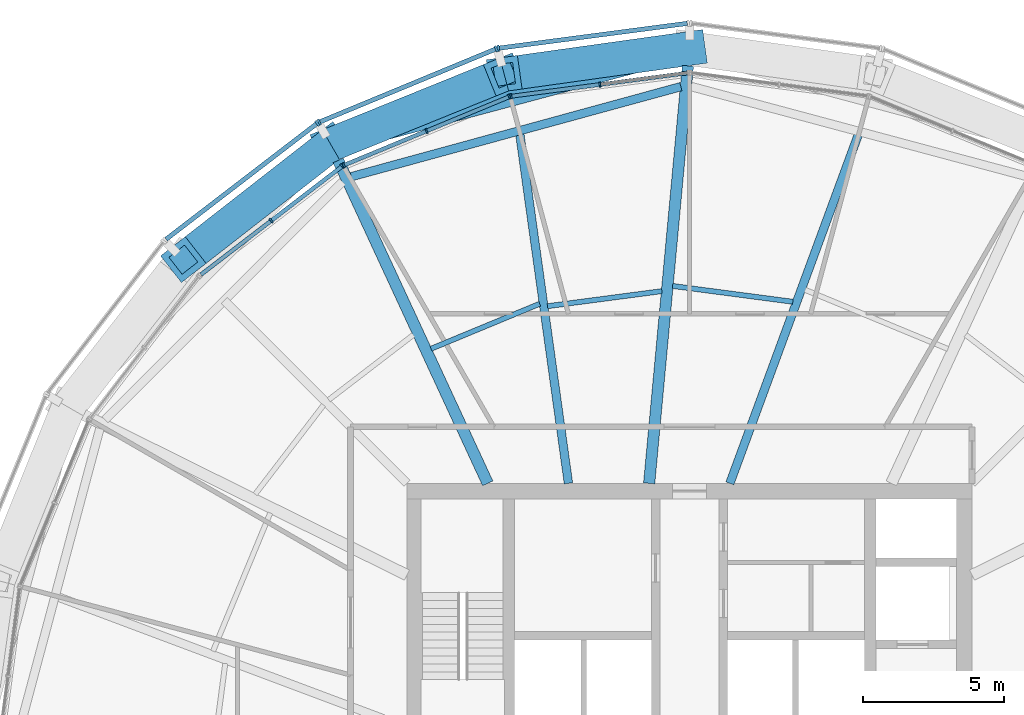
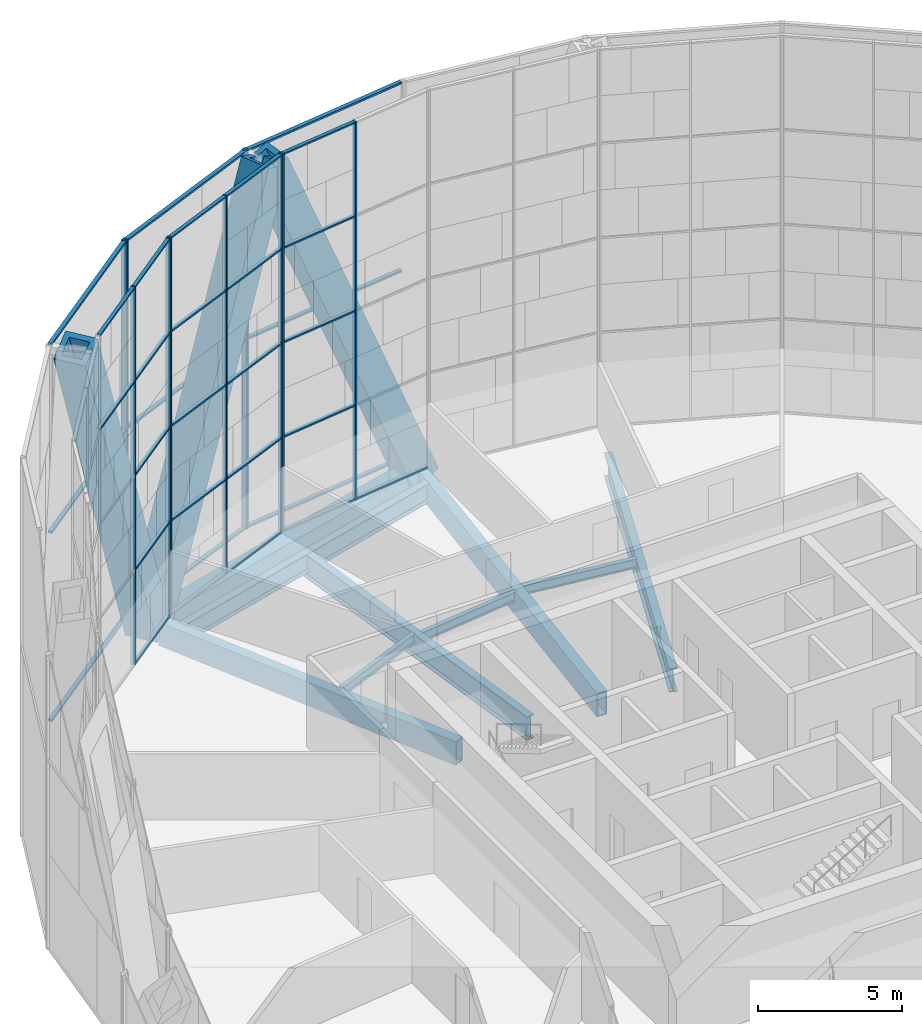
# One storey, part 9 of 29: 46 members, 9 beams, 6 elements without a shape of their own.
"""IFC4 building model written with IfcOpenShell, lengths in metres."""

from ifc_helpers import new_model, si_unit, direction, frame, origin, origin_2d, place, context, subcontext, project, spatial, rectangle, hollow_rectangle, i_section, extrude, material, material_profile, profile_set, type_object, element, aggregate, save


model = new_model("IFC4")

# Units and contexts
model_context = context("Model", 3, precision=1e-05, world=origin(), true_north=direction((0.0, 1.0)))
body_context = subcontext(model_context, "Body", "Model", "MODEL_VIEW")
ifc_project = project(units=[si_unit("LENGTHUNIT", "METRE"), si_unit("AREAUNIT", "SQUARE_METRE"), si_unit("VOLUMEUNIT", "CUBIC_METRE"), si_unit("PLANEANGLEUNIT", "RADIAN"), si_unit("MASSUNIT", "GRAM", prefix="KILO")], contexts=[model_context])

# Site, building, storey
site_placement = place(None, origin())
site = spatial("IfcSite", under=ifc_project, at=site_placement, CompositionType="ELEMENT")
building_placement = place(site_placement, origin())
building = spatial("IfcBuilding", under=site, at=building_placement, Name="Golbaran Civic Tower", CompositionType="ELEMENT")
storey_placement = place(building_placement, frame((0.0, 0.0, 118.0)))
storey = spatial("IfcBuildingStorey", under=building, at=storey_placement, Name="L28", CompositionType="ELEMENT", Elevation=118.0)

# Members
ifc_material_1 = material(Name="Steel S355", Category="steel")
ifc_material_profile_1 = material_profile(ifc_material_1, hollow_rectangle(XDim=1.199951171875, YDim=1.199951171875, WallThickness=0.219970703125, at=origin_2d()), Name="BOX 1200x1200x220")
ifc_profile_set_1 = profile_set([ifc_material_profile_1], Name="Steel S355")
member_type_1 = type_object("IfcMemberType", Name="DIAGRID DIAGONAL BOX 1200x1200x220", PredefinedType="BRACE", material=ifc_profile_set_1)
member_1_placement = place(storey_placement, frame((0.0, 25.39306640625, -0.7099609375), z_axis=(-0.378752046555, -0.052927158382, 0.923983551334), x_axis=(0.138396182918, -0.990376946699, 0.0)))
element("IfcMember", 1, at=member_1_placement, inside=storey, type_object=member_type_1, Name="Diagonal D06-03R L28-L32", PredefinedType="BRACE", context=body_context, shape_type="SweptSolid", body=[
    extrude(hollow_rectangle(XDim=1.199951171875, YDim=1.199951171875, WallThickness=0.219970703125, at=origin_2d()), origin(), (0.0, 0.0, 1.0), 17.31640625),
])
for number, where, z_axis, x_axis, name in (
    (2, (-12.696533203125, 21.990966796875, -0.7099609375), (-0.301533756345, -0.235212402726, 0.923987293954), (0.615057929153, -0.788481923563, 0.0), "Diagonal D06-04R L28-L32"),
    (3, (-12.696533203125, 21.990966796875, -0.7099609375), (0.3544612565, 0.143541229562, 0.92398762603), (-0.375347369478, 0.926884217271, 0.0), "Diagonal D06-04L L28-L32"),
):
    element("IfcMember", number, at=place(storey_placement, frame(where, z_axis=z_axis, x_axis=x_axis)), inside=storey, type_object=member_type_1, Name=name, PredefinedType="BRACE", context=body_context, shape_type="SweptSolid", body=[
        extrude(hollow_rectangle(XDim=1.199951171875, YDim=1.199951171875, WallThickness=0.219970703125, at=origin_2d()), origin(), (0.0, 0.0, 1.0), 17.316162109375),
    ])

# Beams
ifc_material_profile_2 = material_profile(ifc_material_1, hollow_rectangle(XDim=0.699951171875, YDim=0.699951171875, WallThickness=0.080078125, at=origin_2d()), Name="BOX 700x700x80")
ifc_profile_set_2 = profile_set([ifc_material_profile_2], Name="Steel S355")
beam_type_1 = type_object("IfcBeamType", Name="DIAGRID RING TIE BOX 700x700x80", PredefinedType="BEAM", material=ifc_profile_set_2)
beam_1_placement = place(storey_placement, frame((0.0, 25.39306640625, -0.7099609375), z_axis=(-0.965924422812, -0.258824282894, 0.0), x_axis=(0.258824282894, -0.965924422812, 0.0)))
element("IfcBeam", 4, at=beam_1_placement, inside=storey, type_object=beam_type_1, Name="Ring tie 90.00 L28", PredefinedType="BEAM", context=body_context, shape_type="SweptSolid", body=[
    extrude(hollow_rectangle(XDim=0.699951171875, YDim=0.699951171875, WallThickness=0.080078125, at=origin_2d()), origin(), (0.0, 0.0, 1.0), 13.14453125),
])
ifc_material_profile_3 = material_profile(ifc_material_1, i_section(OverallWidth=0.300048828125, OverallDepth=0.800048828125, WebThickness=0.017578125, FlangeThickness=0.032958984375, FilletRadius=0.030029296875, at=origin_2d()), Name="HEB 800")
ifc_profile_set_3 = profile_set([ifc_material_profile_3], Name="Steel S355")
beam_type_2 = type_object("IfcBeamType", Name="EDGE BEAM HEB 800", PredefinedType="BEAM", material=ifc_profile_set_3)
beam_2_placement = place(storey_placement, frame((-0.30615234375, 24.043212890625, -0.60009765625), z_axis=(-0.964635594416, -0.263587120297, 0.0), x_axis=(0.263587120297, -0.964635594416, 0.0)))
element("IfcBeam", 5, at=beam_2_placement, inside=storey, type_object=beam_type_2, Name="Edge beam 90.00 L28", PredefinedType="BEAM", context=body_context, shape_type="SweptSolid", body=[
    extrude(i_section(OverallWidth=0.300048828125, OverallDepth=0.800048828125, WebThickness=0.017578125, FlangeThickness=0.032958984375, FilletRadius=0.030029296875, at=origin_2d()), origin(), (0.0, 0.0, 1.0), 12.09375),
])
ifc_material_profile_4 = material_profile(ifc_material_1, i_section(OverallWidth=0.179931640625, OverallDepth=0.39990234375, WebThickness=0.008544921875, FlangeThickness=0.013427734375, FilletRadius=0.02099609375, at=origin_2d()), Name="IPE 400")
ifc_profile_set_4 = profile_set([ifc_material_profile_4], Name="Steel S355")
beam_type_3 = type_object("IfcBeamType", Name="FLOOR INFILL BEAM IPE 400", PredefinedType="BEAM", material=ifc_profile_set_4)
beam_3_placement = place(storey_placement, frame((3.657958984375, 16.427490234375, -0.39990234375), z_axis=(-0.991450424736, 0.130483927329, 0.0), x_axis=(-0.130483927329, -0.991450424736, 0.0)))
element("IfcBeam", 6, at=beam_3_placement, inside=storey, type_object=beam_type_3, Name="Infill beam 82.50 L28", PredefinedType="BEAM", context=body_context, shape_type="SweptSolid", body=[
    extrude(i_section(OverallWidth=0.179931640625, OverallDepth=0.39990234375, WebThickness=0.008544921875, FlangeThickness=0.013427734375, FilletRadius=0.02099609375, at=origin_2d()), origin(), (0.0, 0.0, 1.0), 4.2939453125),
])
beam_4_placement = place(storey_placement, frame((-0.977783203125, 16.80419921875, -0.39990234375), z_axis=(-0.991444732077, -0.130527174324, 0.0), x_axis=(0.130527174324, -0.991444732077, 0.0)))
element("IfcBeam", 7, at=beam_4_placement, inside=storey, type_object=beam_type_3, Name="Infill beam 97.50 L28", PredefinedType="BEAM", context=body_context, shape_type="SweptSolid", body=[
    extrude(i_section(OverallWidth=0.179931640625, OverallDepth=0.39990234375, WebThickness=0.008544921875, FlangeThickness=0.013427734375, FilletRadius=0.02099609375, at=origin_2d()), origin(), (0.0, 0.0, 1.0), 4.0849609375),
])
beam_5_placement = place(storey_placement, frame((-5.30224609375, 16.357666015625, -0.39990234375), z_axis=(-0.923893261584, -0.38265028577, 0.0), x_axis=(0.38265028577, -0.923893261584, 0.0)))
element("IfcBeam", 8, at=beam_5_placement, inside=storey, type_object=beam_type_3, Name="Infill beam 112.50 L28", PredefinedType="BEAM", context=body_context, shape_type="SweptSolid", body=[
    extrude(i_section(OverallWidth=0.179931640625, OverallDepth=0.39990234375, WebThickness=0.008544921875, FlangeThickness=0.013427734375, FilletRadius=0.02099609375, at=origin_2d()), origin(), (0.0, 0.0, 1.0), 4.165771484375),
])

# Curtain wall, members
ifc_material_2 = material(Name="Aluminium and glass", Category="aluminium")
curtain_wall_type_1 = type_object("IfcCurtainWallType", Name="INNER SKIN CURTAIN WALL", PredefinedType="NOTDEFINED", material=ifc_material_2)
curtain_wall_1_placement = place(storey_placement, origin())
curtain_wall_1 = element("IfcCurtainWall", 9, at=curtain_wall_1_placement, inside=storey, type_object=curtain_wall_type_1, Name="Inner skin L28 facet 7 CW1", ObjectType="INNER SKIN", PredefinedType="USERDEFINED")
ifc_material_3 = material(Name="Aluminium", Category="aluminium")
ifc_material_profile_5 = material_profile(ifc_material_3, rectangle(XDim=0.179931640625, YDim=0.06494140625, at=origin_2d()), Name="INNER SKIN CURTAIN WALL MULLION")
ifc_profile_set_5 = profile_set([ifc_material_profile_5], Name="Aluminium")
member_type_2 = type_object("IfcMemberType", Name="INNER SKIN CURTAIN WALL MULLION", PredefinedType="MULLION", material=ifc_profile_set_5)
member_2_placement = place(storey_placement, frame((-3.175048828125, 24.115966796875, 0.0), z_axis=(0.0, 0.0, 1.0), x_axis=(0.130526192237, -0.991444861372, 0.0)))
member_2 = element("IfcMember", 10, at=member_2_placement, type_object=member_type_2, Name="CW1 mullion 2", PredefinedType="MULLION", context=body_context, shape_type="SweptSolid", body=[
    extrude(rectangle(XDim=0.179931640625, YDim=0.06494140625, at=origin_2d()), origin(), (0.0, 0.0, 1.0), 16.0),
])
member_3_placement = place(storey_placement, frame((-6.317626953125, 23.7021484375, 0.0), z_axis=(0.0, 0.0, 1.0), x_axis=(0.130526192237, -0.991444861372, 0.0)))
member_3 = element("IfcMember", 11, at=member_3_placement, type_object=member_type_2, Name="CW1 mullion 3", PredefinedType="MULLION", context=body_context, shape_type="SweptSolid", body=[
    extrude(rectangle(XDim=0.179931640625, YDim=0.06494140625, at=origin_2d()), origin(), (0.0, 0.0, 1.0), 16.0),
])

curtain_wall_2_placement = place(storey_placement, origin())
curtain_wall_2 = element("IfcCurtainWall", 12, at=curtain_wall_2_placement, inside=storey, type_object=curtain_wall_type_1, Name="Inner skin L28 facet 8 CW1", ObjectType="INNER SKIN", PredefinedType="USERDEFINED")
member_4_placement = place(storey_placement, frame((-6.3798828125, 23.685546875, 0.0), z_axis=(0.0, 0.0, 1.0), x_axis=(0.38268343243, -0.923879532485, 0.0)))
member_4 = element("IfcMember", 13, at=member_4_placement, type_object=member_type_2, Name="CW1 mullion 1", PredefinedType="MULLION", context=body_context, shape_type="SweptSolid", body=[
    extrude(rectangle(XDim=0.179931640625, YDim=0.06494140625, at=origin_2d()), origin(), (0.0, 0.0, 1.0), 16.0),
])
member_5_placement = place(storey_placement, frame((-9.308349609375, 22.47265625, 0.0), z_axis=(0.0, 0.0, 1.0), x_axis=(0.38268343243, -0.923879532485, 0.0)))
member_5 = element("IfcMember", 14, at=member_5_placement, type_object=member_type_2, Name="CW1 mullion 2", PredefinedType="MULLION", context=body_context, shape_type="SweptSolid", body=[
    extrude(rectangle(XDim=0.179931640625, YDim=0.06494140625, at=origin_2d()), origin(), (0.0, 0.0, 1.0), 16.0),
])
member_6_placement = place(storey_placement, frame((-12.237060546875, 21.259521484375, 0.0), z_axis=(0.0, 0.0, 1.0), x_axis=(0.38268343243, -0.923879532485, 0.0)))
member_6 = element("IfcMember", 15, at=member_6_placement, type_object=member_type_2, Name="CW1 mullion 3", PredefinedType="MULLION", context=body_context, shape_type="SweptSolid", body=[
    extrude(rectangle(XDim=0.179931640625, YDim=0.06494140625, at=origin_2d()), origin(), (0.0, 0.0, 1.0), 16.0),
])

curtain_wall_3_placement = place(storey_placement, origin())
curtain_wall_3 = element("IfcCurtainWall", 16, at=curtain_wall_3_placement, inside=storey, type_object=curtain_wall_type_1, Name="Inner skin L28 facet 9 CW1", ObjectType="INNER SKIN", PredefinedType="USERDEFINED")
member_7_placement = place(storey_placement, frame((-12.292724609375, 21.227294921875, 0.0), z_axis=(0.0, 0.0, 1.0), x_axis=(0.608761428898, -0.793353340376, 0.0)))
member_7 = element("IfcMember", 17, at=member_7_placement, type_object=member_type_2, Name="CW1 mullion 1", PredefinedType="MULLION", context=body_context, shape_type="SweptSolid", body=[
    extrude(rectangle(XDim=0.179931640625, YDim=0.06494140625, at=origin_2d()), origin(), (0.0, 0.0, 1.0), 16.0),
])
member_8_placement = place(storey_placement, frame((-14.8076171875, 19.297607421875, 0.0), z_axis=(0.0, 0.0, 1.0), x_axis=(0.608761428898, -0.793353340376, 0.0)))
member_8 = element("IfcMember", 18, at=member_8_placement, type_object=member_type_2, Name="CW1 mullion 2", PredefinedType="MULLION", context=body_context, shape_type="SweptSolid", body=[
    extrude(rectangle(XDim=0.179931640625, YDim=0.06494140625, at=origin_2d()), origin(), (0.0, 0.0, 1.0), 16.0),
])

# Member
ifc_material_profile_6 = material_profile(ifc_material_3, rectangle(XDim=0.139892578125, YDim=0.06494140625, at=origin_2d()), Name="INNER SKIN CURTAIN WALL TRANSOM")
ifc_profile_set_6 = profile_set([ifc_material_profile_6], Name="Aluminium")
member_type_3 = type_object("IfcMemberType", Name="INNER SKIN CURTAIN WALL TRANSOM", PredefinedType="USERDEFINED", material=ifc_profile_set_6)
member_9_placement = place(storey_placement, frame((-0.064453125, 24.525634765625, 0.032470703125), z_axis=(-0.991444925907, -0.130525702039, 0.0), x_axis=(0.130525702039, -0.991444925907, 0.0)))
member_9 = element("IfcMember", 19, at=member_9_placement, type_object=member_type_3, Name="CW1 transom 1.1", ObjectType="TRANSOM", PredefinedType="USERDEFINED", context=body_context, shape_type="SweptSolid", body=[
    extrude(rectangle(XDim=0.139892578125, YDim=0.06494140625, at=origin_2d()), origin(), (0.0, 0.0, 1.0), 3.10498046875),
])

member_10_placement = place(storey_placement, frame((-3.207275390625, 24.11181640625, 0.032470703125), z_axis=(-0.991443586136, -0.130535878251, 0.0), x_axis=(0.130535878251, -0.991443586136, 0.0)))
member_10 = element("IfcMember", 20, at=member_10_placement, type_object=member_type_3, Name="CW1 transom 2.1", ObjectType="TRANSOM", PredefinedType="USERDEFINED", context=body_context, shape_type="SweptSolid", body=[
    extrude(rectangle(XDim=0.139892578125, YDim=0.06494140625, at=origin_2d()), origin(), (0.0, 0.0, 1.0), 3.104736328125),
])

member_11_placement = place(storey_placement, frame((-3.207275390625, 24.11181640625, 4.0), z_axis=(-0.991443586136, -0.130535878251, 0.0), x_axis=(0.130535878251, -0.991443586136, 0.0)))
member_11 = element("IfcMember", 21, at=member_11_placement, type_object=member_type_3, Name="CW1 transom 2.2", ObjectType="TRANSOM", PredefinedType="USERDEFINED", context=body_context, shape_type="SweptSolid", body=[
    extrude(rectangle(XDim=0.139892578125, YDim=0.06494140625, at=origin_2d()), origin(), (0.0, 0.0, 1.0), 3.104736328125),
])

member_12_placement = place(storey_placement, frame((-3.207275390625, 24.11181640625, 8.0), z_axis=(-0.991443586136, -0.130535878251, 0.0), x_axis=(0.130535878251, -0.991443586136, 0.0)))
member_12 = element("IfcMember", 22, at=member_12_placement, type_object=member_type_3, Name="CW1 transom 2.3", ObjectType="TRANSOM", PredefinedType="USERDEFINED", context=body_context, shape_type="SweptSolid", body=[
    extrude(rectangle(XDim=0.139892578125, YDim=0.06494140625, at=origin_2d()), origin(), (0.0, 0.0, 1.0), 3.104736328125),
])

member_13_placement = place(storey_placement, frame((-3.207275390625, 24.11181640625, 12.0), z_axis=(-0.991443586136, -0.130535878251, 0.0), x_axis=(0.130535878251, -0.991443586136, 0.0)))
member_13 = element("IfcMember", 23, at=member_13_placement, type_object=member_type_3, Name="CW1 transom 2.4", ObjectType="TRANSOM", PredefinedType="USERDEFINED", context=body_context, shape_type="SweptSolid", body=[
    extrude(rectangle(XDim=0.139892578125, YDim=0.06494140625, at=origin_2d()), origin(), (0.0, 0.0, 1.0), 3.104736328125),
])

member_14_placement = place(storey_placement, frame((-3.207275390625, 24.11181640625, 15.967529296875), z_axis=(-0.991443586136, -0.130535878251, 0.0), x_axis=(0.130535878251, -0.991443586136, 0.0)))
member_14 = element("IfcMember", 24, at=member_14_placement, type_object=member_type_3, Name="CW1 transom 2.5", ObjectType="TRANSOM", PredefinedType="USERDEFINED", context=body_context, shape_type="SweptSolid", body=[
    extrude(rectangle(XDim=0.139892578125, YDim=0.06494140625, at=origin_2d()), origin(), (0.0, 0.0, 1.0), 3.104736328125),
])

aggregate(curtain_wall_1, [member_2, member_3, member_9, member_10, member_11, member_12, member_13, member_14])

member_15_placement = place(storey_placement, frame((-6.409912109375, 23.673095703125, 0.032470703125), z_axis=(-0.923868276622, -0.382710605355, 0.0), x_axis=(0.382710605355, -0.923868276622, 0.0)))
member_15 = element("IfcMember", 25, at=member_15_placement, type_object=member_type_3, Name="CW1 transom 1.1", ObjectType="TRANSOM", PredefinedType="USERDEFINED", context=body_context, shape_type="SweptSolid", body=[
    extrude(rectangle(XDim=0.139892578125, YDim=0.06494140625, at=origin_2d()), origin(), (0.0, 0.0, 1.0), 3.104736328125),
])

member_16_placement = place(storey_placement, frame((-6.409912109375, 23.673095703125, 4.0), z_axis=(-0.923868276622, -0.382710605355, 0.0), x_axis=(0.382710605355, -0.923868276622, 0.0)))
member_16 = element("IfcMember", 26, at=member_16_placement, type_object=member_type_3, Name="CW1 transom 1.2", ObjectType="TRANSOM", PredefinedType="USERDEFINED", context=body_context, shape_type="SweptSolid", body=[
    extrude(rectangle(XDim=0.139892578125, YDim=0.06494140625, at=origin_2d()), origin(), (0.0, 0.0, 1.0), 3.104736328125),
])

member_17_placement = place(storey_placement, frame((-6.409912109375, 23.673095703125, 8.0), z_axis=(-0.923868276622, -0.382710605355, 0.0), x_axis=(0.382710605355, -0.923868276622, 0.0)))
member_17 = element("IfcMember", 27, at=member_17_placement, type_object=member_type_3, Name="CW1 transom 1.3", ObjectType="TRANSOM", PredefinedType="USERDEFINED", context=body_context, shape_type="SweptSolid", body=[
    extrude(rectangle(XDim=0.139892578125, YDim=0.06494140625, at=origin_2d()), origin(), (0.0, 0.0, 1.0), 3.104736328125),
])

member_18_placement = place(storey_placement, frame((-6.409912109375, 23.673095703125, 12.0), z_axis=(-0.923868276622, -0.382710605355, 0.0), x_axis=(0.382710605355, -0.923868276622, 0.0)))
member_18 = element("IfcMember", 28, at=member_18_placement, type_object=member_type_3, Name="CW1 transom 1.4", ObjectType="TRANSOM", PredefinedType="USERDEFINED", context=body_context, shape_type="SweptSolid", body=[
    extrude(rectangle(XDim=0.139892578125, YDim=0.06494140625, at=origin_2d()), origin(), (0.0, 0.0, 1.0), 3.104736328125),
])

member_19_placement = place(storey_placement, frame((-6.409912109375, 23.673095703125, 15.967529296875), z_axis=(-0.923868276622, -0.382710605355, 0.0), x_axis=(0.382710605355, -0.923868276622, 0.0)))
member_19 = element("IfcMember", 29, at=member_19_placement, type_object=member_type_3, Name="CW1 transom 1.5", ObjectType="TRANSOM", PredefinedType="USERDEFINED", context=body_context, shape_type="SweptSolid", body=[
    extrude(rectangle(XDim=0.139892578125, YDim=0.06494140625, at=origin_2d()), origin(), (0.0, 0.0, 1.0), 3.104736328125),
])

member_20_placement = place(storey_placement, frame((-9.33837890625, 22.460205078125, 0.032470703125), z_axis=(-0.923879792653, -0.382682804327, 0.0), x_axis=(0.382682804327, -0.923879792653, 0.0)))
member_20 = element("IfcMember", 30, at=member_20_placement, type_object=member_type_3, Name="CW1 transom 2.1", ObjectType="TRANSOM", PredefinedType="USERDEFINED", context=body_context, shape_type="SweptSolid", body=[
    extrude(rectangle(XDim=0.139892578125, YDim=0.06494140625, at=origin_2d()), origin(), (0.0, 0.0, 1.0), 3.10498046875),
])

member_21_placement = place(storey_placement, frame((-9.33837890625, 22.460205078125, 4.0), z_axis=(-0.923879792653, -0.382682804327, 0.0), x_axis=(0.382682804327, -0.923879792653, 0.0)))
member_21 = element("IfcMember", 31, at=member_21_placement, type_object=member_type_3, Name="CW1 transom 2.2", ObjectType="TRANSOM", PredefinedType="USERDEFINED", context=body_context, shape_type="SweptSolid", body=[
    extrude(rectangle(XDim=0.139892578125, YDim=0.06494140625, at=origin_2d()), origin(), (0.0, 0.0, 1.0), 3.10498046875),
])

member_22_placement = place(storey_placement, frame((-9.33837890625, 22.460205078125, 8.0), z_axis=(-0.923879792653, -0.382682804327, 0.0), x_axis=(0.382682804327, -0.923879792653, 0.0)))
member_22 = element("IfcMember", 32, at=member_22_placement, type_object=member_type_3, Name="CW1 transom 2.3", ObjectType="TRANSOM", PredefinedType="USERDEFINED", context=body_context, shape_type="SweptSolid", body=[
    extrude(rectangle(XDim=0.139892578125, YDim=0.06494140625, at=origin_2d()), origin(), (0.0, 0.0, 1.0), 3.10498046875),
])

member_23_placement = place(storey_placement, frame((-9.33837890625, 22.460205078125, 12.0), z_axis=(-0.923879792653, -0.382682804327, 0.0), x_axis=(0.382682804327, -0.923879792653, 0.0)))
member_23 = element("IfcMember", 33, at=member_23_placement, type_object=member_type_3, Name="CW1 transom 2.4", ObjectType="TRANSOM", PredefinedType="USERDEFINED", context=body_context, shape_type="SweptSolid", body=[
    extrude(rectangle(XDim=0.139892578125, YDim=0.06494140625, at=origin_2d()), origin(), (0.0, 0.0, 1.0), 3.10498046875),
])

member_24_placement = place(storey_placement, frame((-9.33837890625, 22.460205078125, 15.967529296875), z_axis=(-0.923879792653, -0.382682804327, 0.0), x_axis=(0.382682804327, -0.923879792653, 0.0)))
member_24 = element("IfcMember", 34, at=member_24_placement, type_object=member_type_3, Name="CW1 transom 2.5", ObjectType="TRANSOM", PredefinedType="USERDEFINED", context=body_context, shape_type="SweptSolid", body=[
    extrude(rectangle(XDim=0.139892578125, YDim=0.06494140625, at=origin_2d()), origin(), (0.0, 0.0, 1.0), 3.10498046875),
])

aggregate(curtain_wall_2, [member_4, member_5, member_6, member_15, member_16, member_17, member_18, member_19, member_20, member_21, member_22, member_23, member_24])

member_25_placement = place(storey_placement, frame((-12.318603515625, 21.20751953125, 0.032470703125), z_axis=(-0.793336705277, -0.608783107568, 0.0), x_axis=(0.608783107568, -0.793336705277, 0.0)))
member_25 = element("IfcMember", 35, at=member_25_placement, type_object=member_type_3, Name="CW1 transom 1.1", ObjectType="TRANSOM", PredefinedType="USERDEFINED", context=body_context, shape_type="SweptSolid", body=[
    extrude(rectangle(XDim=0.139892578125, YDim=0.06494140625, at=origin_2d()), origin(), (0.0, 0.0, 1.0), 3.104736328125),
])

member_26_placement = place(storey_placement, frame((-12.318603515625, 21.20751953125, 4.0), z_axis=(-0.793336705277, -0.608783107568, 0.0), x_axis=(0.608783107568, -0.793336705277, 0.0)))
member_26 = element("IfcMember", 36, at=member_26_placement, type_object=member_type_3, Name="CW1 transom 1.2", ObjectType="TRANSOM", PredefinedType="USERDEFINED", context=body_context, shape_type="SweptSolid", body=[
    extrude(rectangle(XDim=0.139892578125, YDim=0.06494140625, at=origin_2d()), origin(), (0.0, 0.0, 1.0), 3.104736328125),
])

member_27_placement = place(storey_placement, frame((-12.318603515625, 21.20751953125, 8.0), z_axis=(-0.793336705277, -0.608783107568, 0.0), x_axis=(0.608783107568, -0.793336705277, 0.0)))
member_27 = element("IfcMember", 37, at=member_27_placement, type_object=member_type_3, Name="CW1 transom 1.3", ObjectType="TRANSOM", PredefinedType="USERDEFINED", context=body_context, shape_type="SweptSolid", body=[
    extrude(rectangle(XDim=0.139892578125, YDim=0.06494140625, at=origin_2d()), origin(), (0.0, 0.0, 1.0), 3.104736328125),
])

member_28_placement = place(storey_placement, frame((-12.318603515625, 21.20751953125, 12.0), z_axis=(-0.793336705277, -0.608783107568, 0.0), x_axis=(0.608783107568, -0.793336705277, 0.0)))
member_28 = element("IfcMember", 38, at=member_28_placement, type_object=member_type_3, Name="CW1 transom 1.4", ObjectType="TRANSOM", PredefinedType="USERDEFINED", context=body_context, shape_type="SweptSolid", body=[
    extrude(rectangle(XDim=0.139892578125, YDim=0.06494140625, at=origin_2d()), origin(), (0.0, 0.0, 1.0), 3.104736328125),
])

member_29_placement = place(storey_placement, frame((-12.318603515625, 21.20751953125, 15.967529296875), z_axis=(-0.793336705277, -0.608783107568, 0.0), x_axis=(0.608783107568, -0.793336705277, 0.0)))
member_29 = element("IfcMember", 39, at=member_29_placement, type_object=member_type_3, Name="CW1 transom 1.5", ObjectType="TRANSOM", PredefinedType="USERDEFINED", context=body_context, shape_type="SweptSolid", body=[
    extrude(rectangle(XDim=0.139892578125, YDim=0.06494140625, at=origin_2d()), origin(), (0.0, 0.0, 1.0), 3.104736328125),
])

member_30_placement = place(storey_placement, frame((-14.833251953125, 19.27783203125, 12.0), z_axis=(-0.793365845574, -0.60874513146, 0.0), x_axis=(0.60874513146, -0.793365845574, 0.0)))
member_30 = element("IfcMember", 40, at=member_30_placement, type_object=member_type_3, Name="CW1 transom 2.4", ObjectType="TRANSOM", PredefinedType="USERDEFINED", context=body_context, shape_type="SweptSolid", body=[
    extrude(rectangle(XDim=0.139892578125, YDim=0.06494140625, at=origin_2d()), origin(), (0.0, 0.0, 1.0), 3.10498046875),
])

member_31_placement = place(storey_placement, frame((-14.833251953125, 19.27783203125, 15.967529296875), z_axis=(-0.793365845574, -0.60874513146, 0.0), x_axis=(0.60874513146, -0.793365845574, 0.0)))
member_31 = element("IfcMember", 41, at=member_31_placement, type_object=member_type_3, Name="CW1 transom 2.5", ObjectType="TRANSOM", PredefinedType="USERDEFINED", context=body_context, shape_type="SweptSolid", body=[
    extrude(rectangle(XDim=0.139892578125, YDim=0.06494140625, at=origin_2d()), origin(), (0.0, 0.0, 1.0), 3.10498046875),
])

aggregate(curtain_wall_3, [member_7, member_8, member_25, member_26, member_27, member_28, member_29, member_30, member_31])

# Curtain wall, member
curtain_wall_type_2 = type_object("IfcCurtainWallType", Name="OUTER SKIN TERRACOTTA SCREEN", PredefinedType="NOTDEFINED", material=ifc_material_2)
curtain_wall_4_placement = place(storey_placement, origin())
curtain_wall_4 = element("IfcCurtainWall", 42, at=curtain_wall_4_placement, inside=storey, type_object=curtain_wall_type_2, Name="Outer skin L28 facet 7 CW3", ObjectType="OUTER SKIN", PredefinedType="USERDEFINED")
ifc_material_profile_7 = material_profile(ifc_material_3, rectangle(XDim=0.219970703125, YDim=0.080078125, at=origin_2d()), Name="OUTER SKIN TERRACOTTA SCREEN MULLION")
ifc_profile_set_7 = profile_set([ifc_material_profile_7], Name="Aluminium")
member_type_4 = type_object("IfcMemberType", Name="OUTER SKIN TERRACOTTA SCREEN MULLION", PredefinedType="MULLION", material=ifc_profile_set_7)
member_32_placement = place(storey_placement, frame((-6.765380859375, 25.40234375, -0.7099609375), z_axis=(0.0, 0.0, 1.0), x_axis=(0.130526192168, -0.991444861381, 0.0)))
member_32 = element("IfcMember", 43, at=member_32_placement, type_object=member_type_4, Name="CW3 mullion 2", PredefinedType="MULLION", context=body_context, shape_type="SweptSolid", body=[
    extrude(rectangle(XDim=0.219970703125, YDim=0.080078125, at=origin_2d()), origin(), (0.0, 0.0, 1.0), 16.0),
])

# Curtain wall, members
curtain_wall_5_placement = place(storey_placement, origin())
curtain_wall_5 = element("IfcCurtainWall", 44, at=curtain_wall_5_placement, inside=storey, type_object=curtain_wall_type_2, Name="Outer skin L28 facet 8 CW3", ObjectType="OUTER SKIN", PredefinedType="USERDEFINED")
member_33_placement = place(storey_placement, frame((-6.842041015625, 25.3818359375, -0.7099609375), z_axis=(0.0, 0.0, 1.0), x_axis=(0.382683432381, -0.923879532505, 0.0)))
member_33 = element("IfcMember", 45, at=member_33_placement, type_object=member_type_4, Name="CW3 mullion 1", PredefinedType="MULLION", context=body_context, shape_type="SweptSolid", body=[
    extrude(rectangle(XDim=0.219970703125, YDim=0.080078125, at=origin_2d()), origin(), (0.0, 0.0, 1.0), 16.0),
])
member_34_placement = place(storey_placement, frame((-13.109619140625, 22.78564453125, -0.7099609375), z_axis=(0.0, 0.0, 1.0), x_axis=(0.382683432381, -0.923879532505, 0.0)))
member_34 = element("IfcMember", 46, at=member_34_placement, type_object=member_type_4, Name="CW3 mullion 2", PredefinedType="MULLION", context=body_context, shape_type="SweptSolid", body=[
    extrude(rectangle(XDim=0.219970703125, YDim=0.080078125, at=origin_2d()), origin(), (0.0, 0.0, 1.0), 16.0),
])

# Curtain wall, member
curtain_wall_6_placement = place(storey_placement, origin())
curtain_wall_6 = element("IfcCurtainWall", 47, at=curtain_wall_6_placement, inside=storey, type_object=curtain_wall_type_2, Name="Outer skin L28 facet 9 CW3", ObjectType="OUTER SKIN", PredefinedType="USERDEFINED")
member_35_placement = place(storey_placement, frame((-13.17822265625, 22.74609375, -0.7099609375), z_axis=(0.0, 0.0, 1.0), x_axis=(0.608761428995, -0.793353340302, 0.0)))
member_35 = element("IfcMember", 48, at=member_35_placement, type_object=member_type_4, Name="CW3 mullion 1", PredefinedType="MULLION", context=body_context, shape_type="SweptSolid", body=[
    extrude(rectangle(XDim=0.219970703125, YDim=0.080078125, at=origin_2d()), origin(), (0.0, 0.0, 1.0), 16.0),
])

# Member
ifc_material_profile_8 = material_profile(ifc_material_3, rectangle(XDim=0.159912109375, YDim=0.080078125, at=origin_2d()), Name="OUTER SKIN TERRACOTTA SCREEN TRANSOM")
ifc_profile_set_8 = profile_set([ifc_material_profile_8], Name="Aluminium")
member_type_5 = type_object("IfcMemberType", Name="OUTER SKIN TERRACOTTA SCREEN TRANSOM", PredefinedType="USERDEFINED", material=ifc_profile_set_8)
member_36_placement = place(storey_placement, frame((-0.079345703125, 26.282470703125, -0.669921875), z_axis=(-0.991445368442, -0.1305223406, 0.0), x_axis=(0.1305223406, -0.991445368442, 0.0)))
member_36 = element("IfcMember", 49, at=member_36_placement, type_object=member_type_5, Name="CW3 transom 1.1", ObjectType="TRANSOM", PredefinedType="USERDEFINED", context=body_context, shape_type="SweptSolid", body=[
    extrude(rectangle(XDim=0.159912109375, YDim=0.080078125, at=origin_2d()), origin(), (0.0, 0.0, 1.0), 6.703857421875),
])

member_37_placement = place(storey_placement, frame((-0.079345703125, 26.282470703125, 7.2900390625), z_axis=(-0.991445368442, -0.1305223406, 0.0), x_axis=(0.1305223406, -0.991445368442, 0.0)))
member_37 = element("IfcMember", 50, at=member_37_placement, type_object=member_type_5, Name="CW3 transom 1.2", ObjectType="TRANSOM", PredefinedType="USERDEFINED", context=body_context, shape_type="SweptSolid", body=[
    extrude(rectangle(XDim=0.159912109375, YDim=0.080078125, at=origin_2d()), origin(), (0.0, 0.0, 1.0), 6.703857421875),
])

member_38_placement = place(storey_placement, frame((-0.079345703125, 26.282470703125, 15.25), z_axis=(-0.991445368442, -0.1305223406, 0.0), x_axis=(0.1305223406, -0.991445368442, 0.0)))
member_38 = element("IfcMember", 51, at=member_38_placement, type_object=member_type_5, Name="CW3 transom 1.3", ObjectType="TRANSOM", PredefinedType="USERDEFINED", context=body_context, shape_type="SweptSolid", body=[
    extrude(rectangle(XDim=0.159912109375, YDim=0.080078125, at=origin_2d()), origin(), (0.0, 0.0, 1.0), 6.703857421875),
])

aggregate(curtain_wall_4, [member_32, member_36, member_37, member_38])

member_39_placement = place(storey_placement, frame((-6.879150390625, 25.366455078125, -0.669921875), z_axis=(-0.923876566489, -0.382690592899, 0.0), x_axis=(0.382690592899, -0.923876566489, 0.0)))
member_39 = element("IfcMember", 52, at=member_39_placement, type_object=member_type_5, Name="CW3 transom 1.1", ObjectType="TRANSOM", PredefinedType="USERDEFINED", context=body_context, shape_type="SweptSolid", body=[
    extrude(rectangle(XDim=0.159912109375, YDim=0.080078125, at=origin_2d()), origin(), (0.0, 0.0, 1.0), 6.70361328125),
])

member_40_placement = place(storey_placement, frame((-6.879150390625, 25.366455078125, 7.2900390625), z_axis=(-0.923876566489, -0.382690592899, 0.0), x_axis=(0.382690592899, -0.923876566489, 0.0)))
member_40 = element("IfcMember", 53, at=member_40_placement, type_object=member_type_5, Name="CW3 transom 1.2", ObjectType="TRANSOM", PredefinedType="USERDEFINED", context=body_context, shape_type="SweptSolid", body=[
    extrude(rectangle(XDim=0.159912109375, YDim=0.080078125, at=origin_2d()), origin(), (0.0, 0.0, 1.0), 6.70361328125),
])

member_41_placement = place(storey_placement, frame((-6.879150390625, 25.366455078125, 15.25), z_axis=(-0.923876566489, -0.382690592899, 0.0), x_axis=(0.382690592899, -0.923876566489, 0.0)))
member_41 = element("IfcMember", 54, at=member_41_placement, type_object=member_type_5, Name="CW3 transom 1.3", ObjectType="TRANSOM", PredefinedType="USERDEFINED", context=body_context, shape_type="SweptSolid", body=[
    extrude(rectangle(XDim=0.159912109375, YDim=0.080078125, at=origin_2d()), origin(), (0.0, 0.0, 1.0), 6.70361328125),
])

aggregate(curtain_wall_5, [member_33, member_34, member_39, member_40, member_41])

member_42_placement = place(storey_placement, frame((-13.2099609375, 22.7216796875, -0.669921875), z_axis=(-0.793357182153, -0.608756422165, 0.0), x_axis=(0.608756422165, -0.793357182153, 0.0)))
member_42 = element("IfcMember", 55, at=member_42_placement, type_object=member_type_5, Name="CW3 transom 1.1", ObjectType="TRANSOM", PredefinedType="USERDEFINED", context=body_context, shape_type="SweptSolid", body=[
    extrude(rectangle(XDim=0.159912109375, YDim=0.080078125, at=origin_2d()), origin(), (0.0, 0.0, 1.0), 6.703857421875),
])

member_43_placement = place(storey_placement, frame((-13.2099609375, 22.7216796875, 7.2900390625), z_axis=(-0.793357182153, -0.608756422165, 0.0), x_axis=(0.608756422165, -0.793357182153, 0.0)))
member_43 = element("IfcMember", 56, at=member_43_placement, type_object=member_type_5, Name="CW3 transom 1.2", ObjectType="TRANSOM", PredefinedType="USERDEFINED", context=body_context, shape_type="SweptSolid", body=[
    extrude(rectangle(XDim=0.159912109375, YDim=0.080078125, at=origin_2d()), origin(), (0.0, 0.0, 1.0), 6.703857421875),
])

member_44_placement = place(storey_placement, frame((-13.2099609375, 22.7216796875, 15.25), z_axis=(-0.793357182153, -0.608756422165, 0.0), x_axis=(0.608756422165, -0.793357182153, 0.0)))
member_44 = element("IfcMember", 57, at=member_44_placement, type_object=member_type_5, Name="CW3 transom 1.3", ObjectType="TRANSOM", PredefinedType="USERDEFINED", context=body_context, shape_type="SweptSolid", body=[
    extrude(rectangle(XDim=0.159912109375, YDim=0.080078125, at=origin_2d()), origin(), (0.0, 0.0, 1.0), 6.703857421875),
])

aggregate(curtain_wall_6, [member_35, member_42, member_43, member_44])

# Beams
ifc_material_profile_9 = material_profile(ifc_material_1, hollow_rectangle(XDim=0.39990234375, YDim=1.0, WallThickness=0.0400390625, at=origin_2d()), Name="BOX 1000x400x40")
ifc_profile_set_9 = profile_set([ifc_material_profile_9], Name="Steel S355")
beam_type_4 = type_object("IfcBeamType", Name="RADIAL FLOOR BEAM BOX 1000x400x40", PredefinedType="BEAM", material=ifc_profile_set_9)
beam_6_placement = place(storey_placement, frame((-1.428466796875, 10.0, -0.7099609375), z_axis=(0.092407200166, 0.995721301046, 0.0), x_axis=(-0.995721301046, 0.092407200166, 0.0)))
element("IfcBeam", 58, at=beam_6_placement, inside=storey, type_object=beam_type_4, Name="Radial beam 90.00 L28", PredefinedType="BEAM", context=body_context, shape_type="SweptSolid", body=[
    extrude(hollow_rectangle(XDim=0.39990234375, YDim=1.0, WallThickness=0.0400390625, at=origin_2d()), origin(), (0.0, 0.0, 1.0), 14.8427734375),
])
beam_7_placement = place(storey_placement, frame((-7.142822265625, 10.0, -0.7099609375), z_axis=(-0.420263345049, 0.907402182501, 0.0), x_axis=(-0.907402182501, -0.420263345049, 0.0)))
element("IfcBeam", 59, at=beam_7_placement, inside=storey, type_object=beam_type_4, Name="Radial beam 120.00 L28", PredefinedType="BEAM", context=body_context, shape_type="SweptSolid", body=[
    extrude(hollow_rectangle(XDim=0.39990234375, YDim=1.0, WallThickness=0.0400390625, at=origin_2d()), origin(), (0.0, 0.0, 1.0), 12.598388671875),
])
ifc_material_profile_10 = material_profile(ifc_material_1, i_section(OverallWidth=0.300048828125, OverallDepth=1.0, WebThickness=0.01904296875, FlangeThickness=0.035888671875, FilletRadius=0.030029296875, at=origin_2d()), Name="HEB 1000")
ifc_profile_set_10 = profile_set([ifc_material_profile_10], Name="Steel S355")
beam_type_5 = type_object("IfcBeamType", Name="SECONDARY FLOOR BEAM HEB 1000", PredefinedType="BEAM", material=ifc_profile_set_10)
beam_8_placement = place(storey_placement, frame((1.428466796875, 10.0, -0.7099609375), z_axis=(0.345705358827, 0.938343116817, 0.0), x_axis=(-0.938343116817, 0.345705358827, 0.0)))
element("IfcBeam", 60, at=beam_8_placement, inside=storey, type_object=beam_type_5, Name="Secondary beam 75.00 L28", PredefinedType="BEAM", context=body_context, shape_type="SweptSolid", body=[
    extrude(i_section(OverallWidth=0.300048828125, OverallDepth=1.0, WebThickness=0.01904296875, FlangeThickness=0.035888671875, FilletRadius=0.030029296875, at=origin_2d()), origin(), (0.0, 0.0, 1.0), 13.268310546875),
])
beam_9_placement = place(storey_placement, frame((-4.28564453125, 10.0, -0.7099609375), z_axis=(-0.137926870673, 0.990442415462, 0.0), x_axis=(-0.990442415462, -0.137926870673, 0.0)))
element("IfcBeam", 61, at=beam_9_placement, inside=storey, type_object=beam_type_5, Name="Secondary beam 105.00 L28", PredefinedType="BEAM", context=body_context, shape_type="SweptSolid", body=[
    extrude(i_section(OverallWidth=0.300048828125, OverallDepth=1.0, WebThickness=0.01904296875, FlangeThickness=0.035888671875, FilletRadius=0.030029296875, at=origin_2d()), origin(), (0.0, 0.0, 1.0), 12.60107421875),
])

save(model, "model.ifc")
